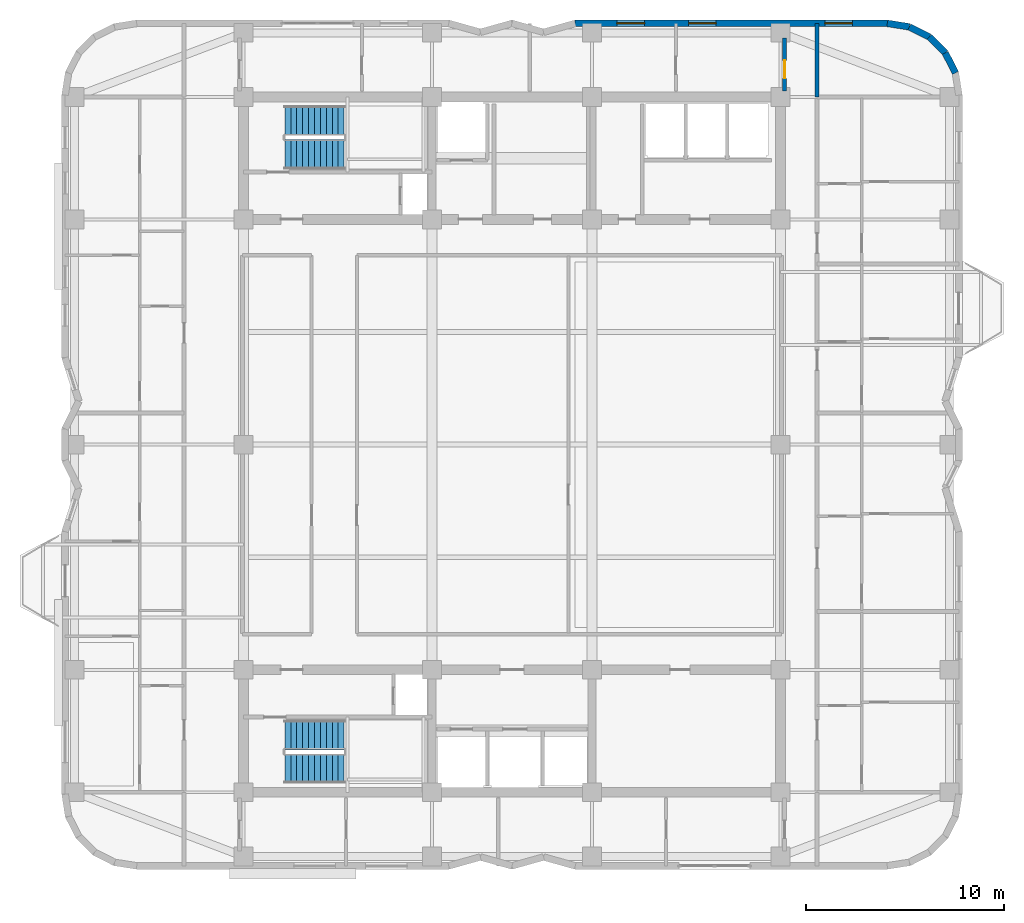
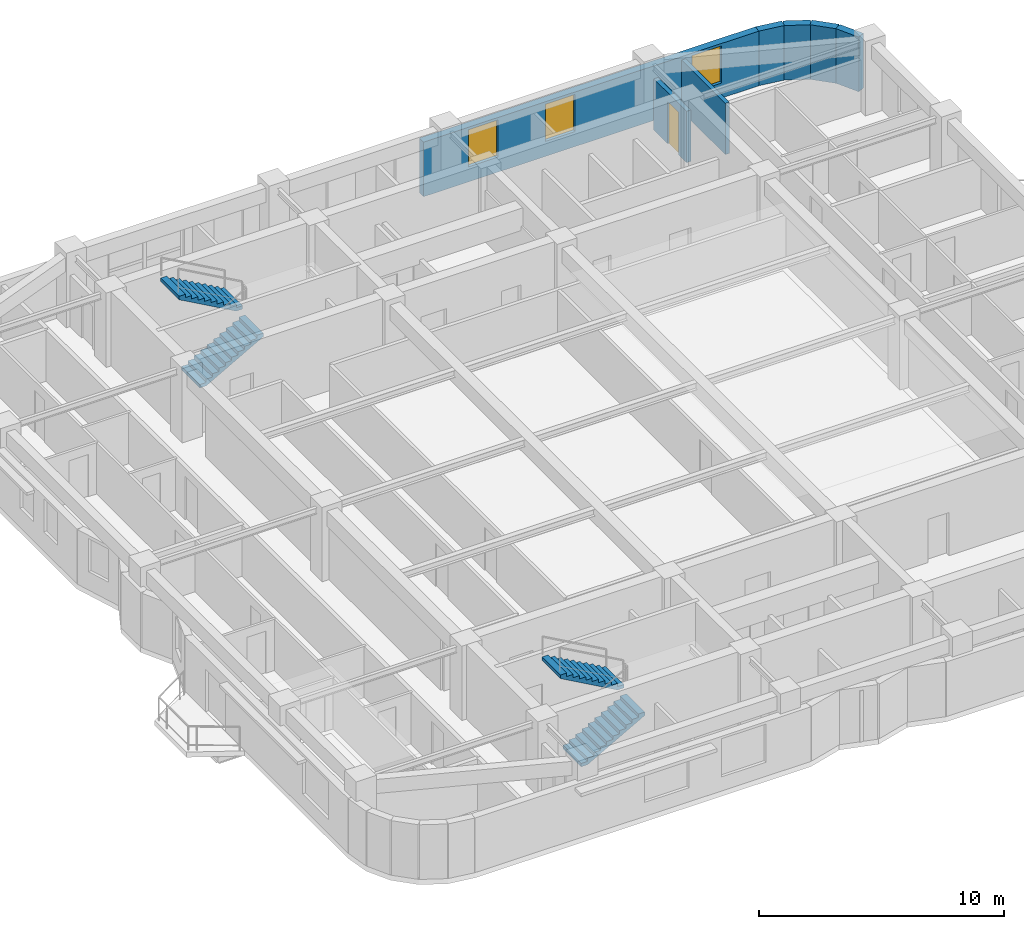
# One storey, part 9 of 12: 7 walls, 4 stair flights, 3 windows, 1 door, 4 openings, 2 elements without a shape of their own.
"""IFC4 building model written with IfcOpenShell, lengths in metres."""

from ifc_helpers import new_model, si_unit, direction, frame, frame_2d, origin, place, context, subcontext, project, spatial, polyline, rectangle, outline, extrude, material, layer, layer_set, type_object, element, fill, aggregate, save


model = new_model("IFC4")

# Units and contexts
model_context = context("Model", 3, precision=1e-05, world=origin(), true_north=direction((0.0, 1.0)))
body_context = subcontext(model_context, "Body", "Model", "MODEL_VIEW")
ifc_project = project(units=[si_unit("LENGTHUNIT", "METRE"), si_unit("AREAUNIT", "SQUARE_METRE"), si_unit("VOLUMEUNIT", "CUBIC_METRE"), si_unit("PLANEANGLEUNIT", "RADIAN"), si_unit("MASSUNIT", "GRAM", prefix="KILO")], contexts=[model_context])

# Site, building, storey
site_placement = place(None, origin())
site = spatial("IfcSite", under=ifc_project, at=site_placement, CompositionType="ELEMENT")
building_placement = place(site_placement, origin())
building = spatial("IfcBuilding", under=site, at=building_placement, Name="Svetorya Sky Lyceum", CompositionType="ELEMENT")
storey_placement = place(building_placement, frame((0.0, 0.0, 177.39990234375)))
storey = spatial("IfcBuildingStorey", under=building, at=storey_placement, Name="L44", CompositionType="ELEMENT", Elevation=177.39990234375)

# Walls
ifc_material_1 = material(Name="Putilovo limestone rainscreen on autoclaved cellular masonry", Category="masonry")
ifc_layer_1 = layer(ifc_material_1, 0.340087890625)
ifc_layer_set_1 = layer_set([ifc_layer_1], Name="Putilovo limestone rainscreen on autoclaved cellular masonry")
wall_type_1 = type_object("IfcWallType", Name="WL-EXT-340", PredefinedType="SOLIDWALL", material=ifc_layer_set_1)
wall_1_placement = place(storey_placement, frame((61.65234375, 47.021728515625, 0.0), z_axis=(0.0, 0.0, 1.0), x_axis=(-0.453993402883, 0.891005044957, 0.0)))
element("IfcWall", 1, at=wall_1_placement, inside=storey, type_object=wall_type_1, Name="L44 Limestone Exterior Wall 25M", PredefinedType="SOLIDWALL", context=body_context, shape_type="SweptSolid", body=[
    extrude(rectangle(XDim=1.1357421875, YDim=0.340087890625, at=frame_2d((0.56787109375, 0.0))), origin(), (0.0, 0.0, 1.0), 2.72021484375),
])
wall_2_placement = place(storey_placement, frame((61.13671875, 48.03369140625, 0.0), z_axis=(0.0, 0.0, 1.0), x_axis=(-0.707106781187, 0.707106781187, 0.0)))
element("IfcWall", 2, at=wall_2_placement, inside=storey, type_object=wall_type_1, Name="L44 Limestone Exterior Wall 26M", PredefinedType="SOLIDWALL", context=body_context, shape_type="SweptSolid", body=[
    extrude(rectangle(XDim=1.135498046875, YDim=0.340087890625, at=frame_2d((0.56787109375, 0.0))), origin(), (0.0, 0.0, 1.0), 2.72021484375),
])
for number, where, z_axis, x_axis, name in (
    (3, (60.333740234375, 48.836669921875, 0.0), (0.0, 0.0, 1.0), (-0.891005044957, 0.453993402883, 0.0), "L44 Limestone Exterior Wall 27M"),
    (4, (59.32177734375, 49.352294921875, 0.0), (0.0, 0.0, 1.0), (-0.987680916907, 0.156481329164, 0.0), "L44 Limestone Exterior Wall 28M"),
):
    element("IfcWall", number, at=place(storey_placement, frame(where, z_axis=z_axis, x_axis=x_axis)), inside=storey, type_object=wall_type_1, Name=name, PredefinedType="SOLIDWALL", context=body_context, shape_type="SweptSolid", body=[
        extrude(rectangle(XDim=1.1357421875, YDim=0.340087890625, at=frame_2d((0.56787109375, 0.0))), origin(), (0.0, 0.0, 1.0), 2.72021484375),
    ])

# Wall, openings, windows
wall_3_placement = place(storey_placement, frame((58.199951171875, 49.530029296875, 0.0), z_axis=(0.0, 0.0, 1.0), x_axis=(-1.0, 0.0, 0.0)))
wall_3 = element("IfcWall", 5, at=wall_3_placement, inside=storey, type_object=wall_type_1, Name="L44 Limestone Exterior Wall 29M", PredefinedType="SOLIDWALL", context=body_context, shape_type="SweptSolid", body=[
    extrude(rectangle(XDim=15.800048828125, YDim=0.340087890625, at=frame_2d((7.89990234375, 0.0))), origin(), (0.0, 0.0, 1.0), 2.72021484375),
])
opening_1_placement = place(wall_3_placement, frame((1.762451171875, 0.0, 0.75)))
opening_1 = element("IfcOpeningElement", 6, at=opening_1_placement, cuts=wall_3, Name="Opening W-R2", PredefinedType="OPENING", context=body_context, shape_type="SweptSolid", body=[
    extrude(rectangle(XDim=1.39990234375, YDim=1.85009765625, at=frame_2d((0.699951171875, 0.925048828125))), frame((0.0, 0.179931640625, 0.0), z_axis=(0.0, -1.0, 0.0), x_axis=(1.0, 0.0, 0.0)), (0.0, 0.0, 1.0), 0.360107421875),
])
opening_2_placement = place(wall_3_placement, frame((8.66259765625, 0.0, 0.75)))
opening_2 = element("IfcOpeningElement", 7, at=opening_2_placement, cuts=wall_3, Name="Opening W-R2", PredefinedType="OPENING", context=body_context, shape_type="SweptSolid", body=[
    extrude(rectangle(XDim=1.39990234375, YDim=1.85009765625, at=frame_2d((0.699951171875, 0.925048828125))), frame((0.0, 0.179931640625, 0.0), z_axis=(0.0, -1.0, 0.0), x_axis=(1.0, 0.0, 0.0)), (0.0, 0.0, 1.0), 0.360107421875),
])
opening_3_placement = place(wall_3_placement, frame((12.28759765625, 0.0, 0.75)))
opening_3 = element("IfcOpeningElement", 8, at=opening_3_placement, cuts=wall_3, Name="Opening W-R2", PredefinedType="OPENING", context=body_context, shape_type="SweptSolid", body=[
    extrude(rectangle(XDim=1.39990234375, YDim=1.85009765625, at=frame_2d((0.699951171875, 0.925048828125))), frame((0.0, 0.179931640625, 0.0), z_axis=(0.0, -1.0, 0.0), x_axis=(1.0, 0.0, 0.0)), (0.0, 0.0, 1.0), 0.360107421875),
])
ifc_material_2 = material(Name="Thermally broken aluminium frame with triple low-E glazing", Category="aluminium")
window_type = type_object("IfcWindowType", Name="WN-RES-140", PartitioningType="SINGLE_PANEL", PredefinedType="WINDOW", material=ifc_material_2)
window_1_placement = place(opening_1_placement, origin())
window_1 = element("IfcWindow", 9, at=window_1_placement, inside=storey, type_object=window_type, Name="L44 Facade Window W-R2.29M.1", OverallHeight=1.85009765625, OverallWidth=1.39990234375, PartitioningType="SINGLE_PANEL", PredefinedType="WINDOW", context=body_context, shape_type="SweptSolid", body=[
    extrude(rectangle(XDim=1.39990234375, YDim=1.85009765625, at=frame_2d((0.699951171875, 0.925048828125))), frame((0.0, 0.030029296875, 0.0), z_axis=(0.0, -1.0, 0.0), x_axis=(1.0, 0.0, 0.0)), (0.0, 0.0, 1.0), 0.06005859375),
])
fill(opening_1, window_1)
window_2_placement = place(opening_2_placement, origin())
window_2 = element("IfcWindow", 10, at=window_2_placement, inside=storey, type_object=window_type, Name="L44 Facade Window W-R2.29M.2", OverallHeight=1.85009765625, OverallWidth=1.39990234375, PartitioningType="SINGLE_PANEL", PredefinedType="WINDOW", context=body_context, shape_type="SweptSolid", body=[
    extrude(rectangle(XDim=1.39990234375, YDim=1.85009765625, at=frame_2d((0.699951171875, 0.925048828125))), frame((0.0, 0.030029296875, 0.0), z_axis=(0.0, -1.0, 0.0), x_axis=(1.0, 0.0, 0.0)), (0.0, 0.0, 1.0), 0.06005859375),
])
fill(opening_2, window_2)
window_3_placement = place(opening_3_placement, origin())
window_3 = element("IfcWindow", 11, at=window_3_placement, inside=storey, type_object=window_type, Name="L44 Facade Window W-R2.29M.3", OverallHeight=1.85009765625, OverallWidth=1.39990234375, PartitioningType="SINGLE_PANEL", PredefinedType="WINDOW", context=body_context, shape_type="SweptSolid", body=[
    extrude(rectangle(XDim=1.39990234375, YDim=1.85009765625, at=frame_2d((0.699951171875, 0.925048828125))), frame((0.0, 0.030029296875, 0.0), z_axis=(0.0, -1.0, 0.0), x_axis=(1.0, 0.0, 0.0)), (0.0, 0.0, 1.0), 0.06005859375),
])
fill(opening_3, window_3)

# Wall
ifc_material_3 = material(Name="Autoclaved cellular masonry blockwork with gypsum plaster", Category="masonry")
ifc_layer_2 = layer(ifc_material_3, 0.199951171875)
ifc_layer_set_2 = layer_set([ifc_layer_2], Name="Autoclaved cellular masonry blockwork with gypsum plaster")
wall_type_2 = type_object("IfcWallType", Name="WL-PART-200", PredefinedType="PARTITIONING", material=ifc_layer_set_2)
wall_4_placement = place(storey_placement, frame((54.64990234375, 45.800048828125, 0.0), z_axis=(0.0, 0.0, 1.0), x_axis=(0.0, 1.0, 0.0)))
element("IfcWall", 12, at=wall_4_placement, inside=storey, type_object=wall_type_2, Name="L44 Interior Partition EC-NE-END", PredefinedType="PARTITIONING", context=body_context, shape_type="SweptSolid", body=[
    extrude(rectangle(XDim=3.72998046875, YDim=0.199951171875, at=frame_2d((1.864990234375, 0.0))), origin(), (0.0, 0.0, 1.0), 2.550048828125),
])

# Wall, opening, door
wall_5_placement = place(storey_placement, frame((53.0, 46.10009765625, 0.0), z_axis=(0.0, 0.0, 1.0), x_axis=(0.0, 1.0, 0.0)))
wall_5 = element("IfcWall", 13, at=wall_5_placement, inside=storey, type_object=wall_type_2, Name="L44 Interior Partition N4-EE", PredefinedType="PARTITIONING", context=body_context, shape_type="SweptSolid", body=[
    extrude(rectangle(XDim=2.679931640625, YDim=0.199951171875, at=frame_2d((1.33984375, 0.0))), origin(), (0.0, 0.0, 1.0), 2.550048828125),
])
opening_4_placement = place(wall_5_placement, frame((0.64990234375, 0.0, 0.0)))
opening_4 = element("IfcOpeningElement", 14, at=opening_4_placement, cuts=wall_5, Name="Opening D-RM1", PredefinedType="OPENING", context=body_context, shape_type="SweptSolid", body=[
    extrude(rectangle(XDim=0.89990234375, YDim=2.10009765625, at=frame_2d((0.449951171875, 1.050048828125))), frame((0.0, 0.10986328125, 0.0), z_axis=(0.0, -1.0, 0.0), x_axis=(1.0, 0.0, 0.0)), (0.0, 0.0, 1.0), 0.219970703125),
])
ifc_material_4 = material(Name="Lacquered birch veneer internal door")
door_type = type_object("IfcDoorType", Name="DR-INT-900", OperationType="SINGLE_SWING_LEFT", PredefinedType="DOOR", material=ifc_material_4)
door_placement = place(opening_4_placement, origin())
door = element("IfcDoor", 15, at=door_placement, inside=storey, type_object=door_type, Name="L44 NE Office Door", OperationType="SINGLE_SWING_LEFT", OverallHeight=2.10009765625, OverallWidth=0.89990234375, PredefinedType="DOOR", context=body_context, shape_type="SweptSolid", body=[
    extrude(rectangle(XDim=0.89990234375, YDim=2.10009765625, at=frame_2d((0.449951171875, 1.050048828125))), frame((0.0, 0.02490234375, 0.0), z_axis=(0.0, -1.0, 0.0), x_axis=(1.0, 0.0, 0.0)), (0.0, 0.0, 1.0), 0.050048828125),
])
fill(opening_4, door)

# Stair, stair flights
ifc_material_5 = material(Name="Concrete C40/50", Category="concrete")
stair_type_1 = type_object("IfcStairType", Name="STR-ST-N", PredefinedType="HALF_TURN_STAIR", material=ifc_material_5)
stair_1_placement = place(storey_placement, origin())
stair_1 = element("IfcStair", 16, at=stair_1_placement, inside=storey, type_object=stair_type_1, Name="L44 North Core Smoke-Free Exit Stair N3", PredefinedType="HALF_TURN_STAIR")
stair_flight_type_1 = type_object("IfcStairFlightType", Name="SFL-ST-N", PredefinedType="STRAIGHT", material=ifc_material_5)
stair_flight_1_placement = place(storey_placement, frame((27.699951171875, 42.89990234375, 0.0), z_axis=(0.0, 0.0, 1.0), x_axis=(1.0, 0.0, 0.0)))
stair_flight_1 = element("IfcStairFlight", 17, at=stair_flight_1_placement, type_object=stair_flight_type_1, Name="ST-N flight 1", NumberOfRisers=11, NumberOfTreads=10, PredefinedType="STRAIGHT", RiserHeight=0.168181818, TreadLength=0.3, context=body_context, shape_type="SweptSolid", body=[
    extrude(outline(polyline([(0.0, 0.0), (0.0, 0.168212890625), (0.300048828125, 0.168212890625), (0.300048828125, 0.33642578125), (0.60009765625, 0.33642578125), (0.60009765625, 0.504638671875), (0.89990234375, 0.504638671875), (0.89990234375, 0.672607421875), (1.199951171875, 0.672607421875), (1.199951171875, 0.8408203125), (1.5, 0.8408203125), (1.5, 1.009033203125), (1.800048828125, 1.009033203125), (1.800048828125, 1.17724609375), (2.10009765625, 1.17724609375), (2.10009765625, 1.345458984375), (2.39990234375, 1.345458984375), (2.39990234375, 1.513671875), (2.699951171875, 1.513671875), (2.699951171875, 1.681884765625), (3.0, 1.681884765625), (3.0, 1.85009765625), (3.0, 1.510009765625), (0.306640625, 0.0), (0.0, 0.0)])), frame((0.0, 0.75, 0.0), z_axis=(0.0, -1.0, 0.0), x_axis=(1.0, 0.0, 0.0)), (0.0, 0.0, 1.0), 1.5),
])
stair_flight_2_placement = place(storey_placement, frame((30.699951171875, 44.60009765625, 1.85009765625), z_axis=(0.0, 0.0, 1.0), x_axis=(-1.0, 0.0, 0.0)))
stair_flight_2 = element("IfcStairFlight", 18, at=stair_flight_2_placement, type_object=stair_flight_type_1, Name="ST-N flight 2", NumberOfRisers=11, NumberOfTreads=10, PredefinedType="STRAIGHT", RiserHeight=0.168181818, TreadLength=0.3, context=body_context, shape_type="SweptSolid", body=[
    extrude(outline(polyline([(0.0, 0.0), (0.0, 0.168212890625), (0.300048828125, 0.168212890625), (0.300048828125, 0.33642578125), (0.60009765625, 0.33642578125), (0.60009765625, 0.504638671875), (0.89990234375, 0.504638671875), (0.89990234375, 0.672607421875), (1.199951171875, 0.672607421875), (1.199951171875, 0.8408203125), (1.5, 0.8408203125), (1.5, 1.009033203125), (1.800048828125, 1.009033203125), (1.800048828125, 1.17724609375), (2.10009765625, 1.17724609375), (2.10009765625, 1.345458984375), (2.39990234375, 1.345458984375), (2.39990234375, 1.513671875), (2.699951171875, 1.513671875), (2.699951171875, 1.681884765625), (3.0, 1.681884765625), (3.0, 1.85009765625), (3.0, 1.510009765625), (0.306640625, 0.0), (0.0, 0.0)])), frame((0.0, 0.75, 0.0), z_axis=(0.0, -1.0, 0.0), x_axis=(1.0, 0.0, 0.0)), (0.0, 0.0, 1.0), 1.5),
])
aggregate(stair_1, [stair_flight_1, stair_flight_2])

stair_type_2 = type_object("IfcStairType", Name="STR-ST-S", PredefinedType="HALF_TURN_STAIR", material=ifc_material_5)
stair_2_placement = place(storey_placement, origin())
stair_2 = element("IfcStair", 19, at=stair_2_placement, inside=storey, type_object=stair_type_2, Name="L44 South Core Smoke-Free Exit Stair N2", PredefinedType="HALF_TURN_STAIR")
stair_flight_type_2 = type_object("IfcStairFlightType", Name="SFL-ST-S", PredefinedType="STRAIGHT", material=ifc_material_5)
stair_flight_3_placement = place(storey_placement, frame((27.699951171875, 11.800048828125, 0.0), z_axis=(0.0, 0.0, 1.0), x_axis=(1.0, 0.0, 0.0)))
stair_flight_3 = element("IfcStairFlight", 20, at=stair_flight_3_placement, type_object=stair_flight_type_2, Name="ST-S flight 1", NumberOfRisers=11, NumberOfTreads=10, PredefinedType="STRAIGHT", RiserHeight=0.168181818, TreadLength=0.3, context=body_context, shape_type="SweptSolid", body=[
    extrude(outline(polyline([(0.0, 0.0), (0.0, 0.168212890625), (0.300048828125, 0.168212890625), (0.300048828125, 0.33642578125), (0.60009765625, 0.33642578125), (0.60009765625, 0.504638671875), (0.89990234375, 0.504638671875), (0.89990234375, 0.672607421875), (1.199951171875, 0.672607421875), (1.199951171875, 0.8408203125), (1.5, 0.8408203125), (1.5, 1.009033203125), (1.800048828125, 1.009033203125), (1.800048828125, 1.17724609375), (2.10009765625, 1.17724609375), (2.10009765625, 1.345458984375), (2.39990234375, 1.345458984375), (2.39990234375, 1.513671875), (2.699951171875, 1.513671875), (2.699951171875, 1.681884765625), (3.0, 1.681884765625), (3.0, 1.85009765625), (3.0, 1.510009765625), (0.306640625, 0.0), (0.0, 0.0)])), frame((0.0, 0.75, 0.0), z_axis=(0.0, -1.0, 0.0), x_axis=(1.0, 0.0, 0.0)), (0.0, 0.0, 1.0), 1.5),
])
stair_flight_4_placement = place(storey_placement, frame((30.699951171875, 13.5, 1.85009765625), z_axis=(0.0, 0.0, 1.0), x_axis=(-1.0, 0.0, 0.0)))
stair_flight_4 = element("IfcStairFlight", 21, at=stair_flight_4_placement, type_object=stair_flight_type_2, Name="ST-S flight 2", NumberOfRisers=11, NumberOfTreads=10, PredefinedType="STRAIGHT", RiserHeight=0.168181818, TreadLength=0.3, context=body_context, shape_type="SweptSolid", body=[
    extrude(outline(polyline([(0.0, 0.0), (0.0, 0.168212890625), (0.300048828125, 0.168212890625), (0.300048828125, 0.33642578125), (0.60009765625, 0.33642578125), (0.60009765625, 0.504638671875), (0.89990234375, 0.504638671875), (0.89990234375, 0.672607421875), (1.199951171875, 0.672607421875), (1.199951171875, 0.8408203125), (1.5, 0.8408203125), (1.5, 1.009033203125), (1.800048828125, 1.009033203125), (1.800048828125, 1.17724609375), (2.10009765625, 1.17724609375), (2.10009765625, 1.345458984375), (2.39990234375, 1.345458984375), (2.39990234375, 1.513671875), (2.699951171875, 1.513671875), (2.699951171875, 1.681884765625), (3.0, 1.681884765625), (3.0, 1.85009765625), (3.0, 1.510009765625), (0.306640625, 0.0), (0.0, 0.0)])), frame((0.0, 0.75, 0.0), z_axis=(0.0, -1.0, 0.0), x_axis=(1.0, 0.0, 0.0)), (0.0, 0.0, 1.0), 1.5),
])
aggregate(stair_2, [stair_flight_3, stair_flight_4])

save(model, "model.ifc")
